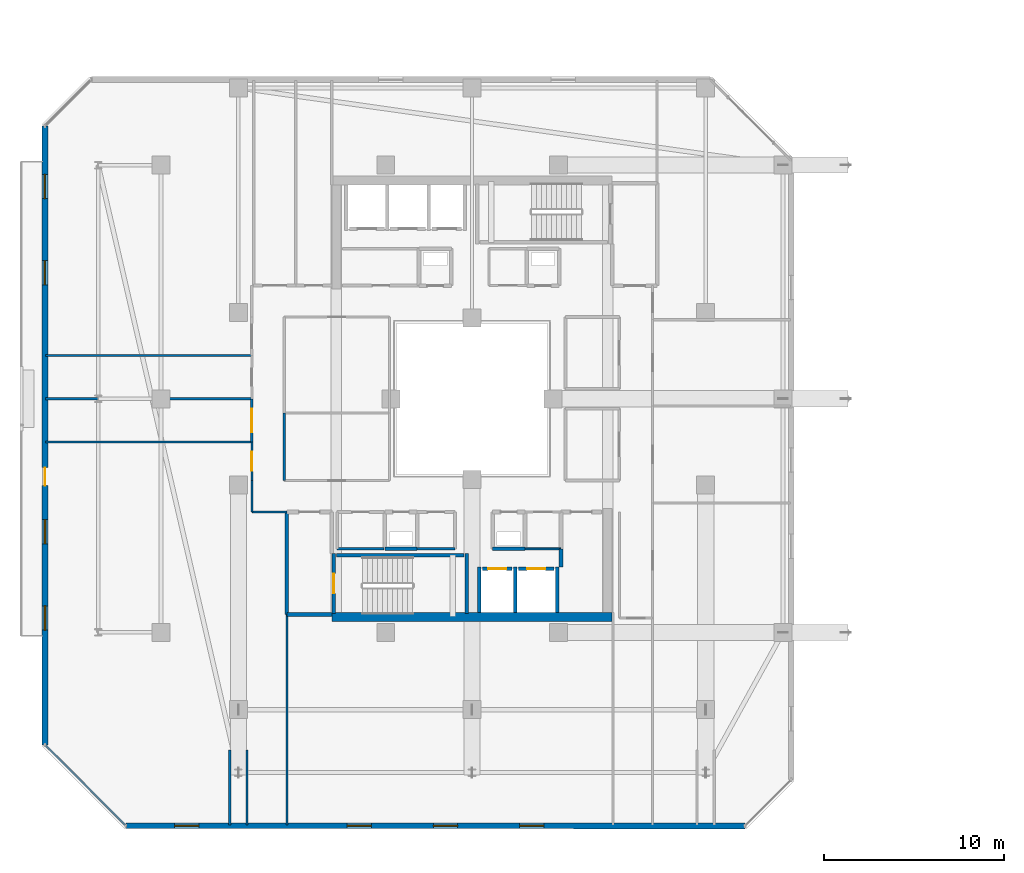
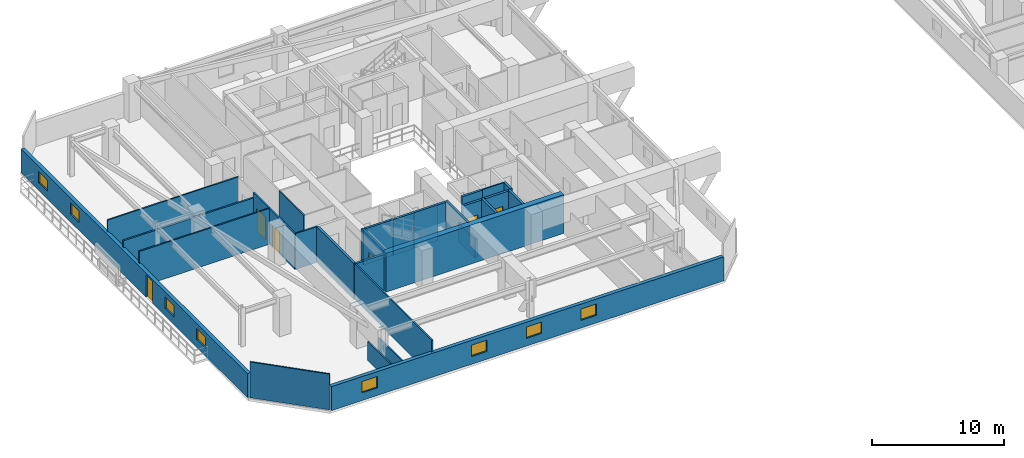
# One storey, part 20 of 34: 31 walls, 8 windows, 6 doors, 14 openings.
"""IFC4 building model written with IfcOpenShell, lengths in metres."""

from ifc_helpers import new_model, si_unit, direction, frame, frame_2d, origin, place, context, subcontext, project, spatial, rectangle, extrude, material, layer, layer_set, type_object, element, fill, save


model = new_model("IFC4")

# Units and contexts
model_context = context("Model", 3, precision=1e-05, world=origin(), true_north=direction((0.0, 1.0)))
body_context = subcontext(model_context, "Body", "Model", "MODEL_VIEW")
ifc_project = project(units=[si_unit("LENGTHUNIT", "METRE"), si_unit("AREAUNIT", "SQUARE_METRE"), si_unit("VOLUMEUNIT", "CUBIC_METRE"), si_unit("PLANEANGLEUNIT", "RADIAN"), si_unit("MASSUNIT", "GRAM", prefix="KILO")], contexts=[model_context])

# Site, building, storey
site_placement = place(None, origin())
site = spatial("IfcSite", under=ifc_project, at=site_placement, CompositionType="ELEMENT")
building_placement = place(site_placement, origin())
building = spatial("IfcBuilding", under=site, at=building_placement, Name="Thornwick Lancets Civic Towers", CompositionType="ELEMENT")
storey_placement = place(building_placement, frame((0.0, 0.0, 251.10009765625)))
storey = spatial("IfcBuildingStorey", under=building, at=storey_placement, Name="L67", CompositionType="ELEMENT", Elevation=251.10009765625)

# Wall, opening, door
ifc_material_1 = material(Name="Concrete blockwork C40/50", Category="masonry")
ifc_layer_1 = layer(ifc_material_1, 0.199951171875, Name="Concrete blockwork C40/50")
ifc_layer_set_1 = layer_set([ifc_layer_1], Name="Concrete blockwork C40/50")
wall_type_1 = type_object("IfcWallType", Name="WALL_COMP_200", PredefinedType="STANDARD", material=ifc_layer_set_1)
wall_1_placement = place(storey_placement, frame((26.080078125, 17.550048828125, 0.0), z_axis=(0.0, 0.0, 1.0), x_axis=(1.0, 0.0, 0.0)))
wall_1 = element("IfcWall", 1, at=wall_1_placement, inside=storey, type_object=wall_type_1, Name="L67 Hoistway Front Wall FL-A1", PredefinedType="STANDARD", context=body_context, shape_type="SweptSolid", body=[
    extrude(rectangle(XDim=1.639892578125, YDim=0.199951171875, at=frame_2d((0.81982421875, 0.0))), origin(), (0.0, 0.0, 1.0), 3.31982421875),
])
opening_1_placement = place(wall_1_placement, frame((0.31005859375, 0.0, 0.0)))
opening_1 = element("IfcOpeningElement", 2, at=opening_1_placement, cuts=wall_1, Name="Opening LD-FL-A1", PredefinedType="OPENING", context=body_context, shape_type="SweptSolid", body=[
    extrude(rectangle(XDim=1.02001953125, YDim=2.06005859375, at=frame_2d((0.510009765625, 1.030029296875))), frame((0.0, 0.10986328125, 0.0), z_axis=(0.0, -1.0, 0.0), x_axis=(1.0, 0.0, 0.0)), (0.0, 0.0, 1.0), 0.219970703125),
])
ifc_material_2 = material(Name="Brushed bronze stainless steel", Category="steel")
door_type_1 = type_object("IfcDoorType", Name="DOOR_LIFT_SLIDE", OperationType="SLIDING_TO_LEFT", PredefinedType="DOOR", material=ifc_material_2)
door_1_placement = place(opening_1_placement, origin())
door_1 = element("IfcDoor", 3, at=door_1_placement, inside=storey, type_object=door_type_1, Name="L67 Sliding Lift Landing Door LD-FL-A1", OperationType="SLIDING_TO_LEFT", OverallHeight=2.06005859375, OverallWidth=1.02001953125, PredefinedType="DOOR", context=body_context, shape_type="SweptSolid", body=[
    extrude(rectangle(XDim=1.02001953125, YDim=2.06005859375, at=frame_2d((0.510009765625, 1.030029296875))), frame((0.0, 0.02490234375, 0.0), z_axis=(0.0, -1.0, 0.0), x_axis=(1.0, 0.0, 0.0)), (0.0, 0.0, 1.0), 0.050048828125),
])
fill(opening_1, door_1)

wall_2_placement = place(storey_placement, frame((28.080078125, 17.550048828125, 0.0), z_axis=(0.0, 0.0, 1.0), x_axis=(1.0, 0.0, 0.0)))
wall_2 = element("IfcWall", 4, at=wall_2_placement, inside=storey, type_object=wall_type_1, Name="L67 Hoistway Front Wall PL-AH1", PredefinedType="STANDARD", context=body_context, shape_type="SweptSolid", body=[
    extrude(rectangle(XDim=1.989990234375, YDim=0.199951171875, at=frame_2d((0.9951171875, 0.0))), origin(), (0.0, 0.0, 1.0), 3.31982421875),
])
opening_2_placement = place(wall_2_placement, frame((0.485107421875, 0.0, 0.0)))
opening_2 = element("IfcOpeningElement", 5, at=opening_2_placement, cuts=wall_2, Name="Opening LD-PL-AH1", PredefinedType="OPENING", context=body_context, shape_type="SweptSolid", body=[
    extrude(rectangle(XDim=1.02001953125, YDim=2.06005859375, at=frame_2d((0.510009765625, 1.030029296875))), frame((0.0, 0.10986328125, 0.0), z_axis=(0.0, -1.0, 0.0), x_axis=(1.0, 0.0, 0.0)), (0.0, 0.0, 1.0), 0.219970703125),
])
door_2_placement = place(opening_2_placement, origin())
door_2 = element("IfcDoor", 6, at=door_2_placement, inside=storey, type_object=door_type_1, Name="L67 Sliding Lift Landing Door LD-PL-AH1", OperationType="SLIDING_TO_LEFT", OverallHeight=2.06005859375, OverallWidth=1.02001953125, PredefinedType="DOOR", context=body_context, shape_type="SweptSolid", body=[
    extrude(rectangle(XDim=1.02001953125, YDim=2.06005859375, at=frame_2d((0.510009765625, 1.030029296875))), frame((0.0, 0.02490234375, 0.0), z_axis=(0.0, -1.0, 0.0), x_axis=(1.0, 0.0, 0.0)), (0.0, 0.0, 1.0), 0.050048828125),
])
fill(opening_2, door_2)

# Walls
wall_3_placement = place(storey_placement, frame((27.89990234375, 15.112060546875, 0.0), z_axis=(0.0, 0.0, 1.0), x_axis=(0.0, 1.0, 0.0)))
element("IfcWall", 7, at=wall_3_placement, inside=storey, type_object=wall_type_1, Name="L67 Hoistway Shaft Wall FL-A1 E", PredefinedType="STANDARD", context=body_context, shape_type="SweptSolid", body=[
    extrude(rectangle(XDim=2.535888671875, YDim=0.199951171875, at=frame_2d((1.26806640625, 0.0))), origin(), (0.0, 0.0, 1.0), 3.31982421875),
])
wall_4_placement = place(storey_placement, frame((25.89990234375, 15.112060546875, 0.0), z_axis=(0.0, 0.0, 1.0), x_axis=(0.0, 1.0, 0.0)))
element("IfcWall", 8, at=wall_4_placement, inside=storey, type_object=wall_type_1, Name="L67 Hoistway Shaft Wall FL-A1 W", PredefinedType="STANDARD", context=body_context, shape_type="SweptSolid", body=[
    extrude(rectangle(XDim=2.535888671875, YDim=0.199951171875, at=frame_2d((1.26806640625, 0.0))), origin(), (0.0, 0.0, 1.0), 1.784912109375),
])
wall_5_placement = place(storey_placement, frame((30.25, 15.112060546875, 0.0), z_axis=(0.0, 0.0, 1.0), x_axis=(0.0, 1.0, 0.0)))
element("IfcWall", 9, at=wall_5_placement, inside=storey, type_object=wall_type_1, Name="L67 Hoistway Shaft Wall PL-AH1 E", PredefinedType="STANDARD", context=body_context, shape_type="SweptSolid", body=[
    extrude(rectangle(XDim=2.535888671875, YDim=0.199951171875, at=frame_2d((1.26806640625, 0.0))), origin(), (0.0, 0.0, 1.0), 3.31982421875),
])
wall_6_placement = place(storey_placement, frame((15.199951171875, 15.0, 0.0), z_axis=(0.0, 0.0, 1.0), x_axis=(1.0, 0.0, 0.0)))
element("IfcWall", 10, at=wall_6_placement, inside=storey, type_object=wall_type_1, Name="L67 Partition L67-A-FFLOB1 E1", PredefinedType="STANDARD", context=body_context, shape_type="SweptSolid", body=[
    extrude(rectangle(XDim=2.5, YDim=0.199951171875, at=frame_2d((1.25, 0.0))), origin(), (0.0, 0.0, 1.0), 3.31982421875),
])
wall_7_placement = place(storey_placement, frame((15.199951171875, 20.699951171875, 0.0), z_axis=(0.0, 0.0, 1.0), x_axis=(0.0, -1.0, 0.0)))
element("IfcWall", 11, at=wall_7_placement, inside=storey, type_object=wall_type_1, Name="L67 Partition L67-A-FFLOB1 E4", PredefinedType="STANDARD", context=body_context, shape_type="SweptSolid", body=[
    extrude(rectangle(XDim=5.699951171875, YDim=0.199951171875, at=frame_2d((2.85009765625, 0.0))), origin(), (0.0, 0.0, 1.0), 3.31982421875),
])
for number, where, z_axis, x_axis, name in (
    (12, (26.64990234375, 18.64990234375, 0.0), (0.0, 0.0, 1.0), (1.0, 0.0, 0.0), "L67 Partition L67-A-DUCT1 E1"),
    (13, (20.64990234375, 18.64990234375, 0.0), (0.0, 0.0, 1.0), (1.0, 0.0, 0.0), "L67 Partition L67-A-RISER1 E1"),
):
    element("IfcWall", number, at=place(storey_placement, frame(where, z_axis=z_axis, x_axis=x_axis)), inside=storey, type_object=wall_type_1, Name=name, PredefinedType="STANDARD", context=body_context, shape_type="SweptSolid", body=[
        extrude(rectangle(XDim=1.800048828125, YDim=0.199951171875, at=frame_2d((0.89990234375, 0.0))), origin(), (0.0, 0.0, 1.0), 3.31982421875),
    ])
wall_8_placement = place(storey_placement, frame((30.449951171875, 17.64794921875, 0.0), z_axis=(0.0, 0.0, 1.0), x_axis=(0.0, 1.0, 0.0)))
element("IfcWall", 14, at=wall_8_placement, inside=storey, type_object=wall_type_1, Name="L67 Partition L67-A-ITR2 E3", PredefinedType="STANDARD", context=body_context, shape_type="SweptSolid", body=[
    extrude(rectangle(XDim=1.001953125, YDim=0.199951171875, at=frame_2d((0.5009765625, 0.0))), origin(), (0.0, 0.0, 1.0), 3.31982421875),
])
ifc_material_3 = material(Name="Concrete C50/60", Category="concrete")
ifc_layer_2 = layer(ifc_material_3, 0.5, Name="Concrete C50/60")
ifc_layer_set_2 = layer_set([ifc_layer_2], Name="Concrete C50/60")
wall_type_2 = type_object("IfcWallType", Name="WALL_CORE_500", PredefinedType="SHEAR", material=ifc_layer_set_2)
wall_9_placement = place(storey_placement, frame((17.699951171875, 14.85009765625, 0.0), z_axis=(0.0, 0.0, 1.0), x_axis=(1.0, 0.0, 0.0)))
element("IfcWall", 15, at=wall_9_placement, inside=storey, type_object=wall_type_2, Name="L67 Split Core A1 Shear Wall S", PredefinedType="SHEAR", context=body_context, shape_type="SweptSolid", body=[
    extrude(rectangle(XDim=15.60009765625, YDim=0.5, at=frame_2d((7.800048828125, 0.0))), origin(), (0.0, 0.0, 1.0), 3.599853515625),
])

# Wall, openings, windows
ifc_material_4 = material(Name="Insulated buff terracotta rainscreen on concrete C40/50", Category="masonry")
ifc_layer_3 = layer(ifc_material_4, 0.320068359375, Name="Insulated buff terracotta rainscreen on concrete C40/50")
ifc_layer_set_3 = layer_set([ifc_layer_3], Name="Insulated buff terracotta rainscreen on concrete C40/50")
wall_type_3 = type_object("IfcWallType", Name="WALL_EXT_TERRA_320", PredefinedType="STANDARD", material=ifc_layer_set_3)
wall_10_placement = place(storey_placement, frame((6.2490234375, 3.24169921875, 0.0), z_axis=(0.0, 0.0, 1.0), x_axis=(0.999999983007, -0.000184351399, 0.0)))
wall_10 = element("IfcWall", 16, at=wall_10_placement, inside=storey, type_object=wall_type_3, Name="L67 Tower A Terracotta Facade Wall E0", PredefinedType="STANDARD", context=body_context, shape_type="SweptSolid", body=[
    extrude(rectangle(XDim=34.432373046875, YDim=0.320068359375, at=frame_2d((17.21630859375, 0.0))), origin(), (0.0, 0.0, 1.0), 2.219970703125),
])
opening_3_placement = place(wall_10_placement, frame((2.699951171875, 0.0, 0.719970703125)))
opening_3 = element("IfcOpeningElement", 17, at=opening_3_placement, cuts=wall_10, Name="Opening WL-03", PredefinedType="OPENING", context=body_context, shape_type="SweptSolid", body=[
    extrude(rectangle(XDim=1.35009765625, YDim=1.050048828125, at=frame_2d((0.675048828125, 0.52490234375))), frame((0.0, 0.169921875, 0.0), z_axis=(0.0, -1.0, 0.0), x_axis=(1.0, 0.0, 0.0)), (0.0, 0.0, 1.0), 0.340087890625),
])
opening_4_placement = place(wall_10_placement, frame((12.300048828125, 0.0, 0.719970703125)))
opening_4 = element("IfcOpeningElement", 18, at=opening_4_placement, cuts=wall_10, Name="Opening WL-03", PredefinedType="OPENING", context=body_context, shape_type="SweptSolid", body=[
    extrude(rectangle(XDim=1.35009765625, YDim=1.050048828125, at=frame_2d((0.675048828125, 0.52490234375))), frame((0.0, 0.169921875, 0.0), z_axis=(0.0, -1.0, 0.0), x_axis=(1.0, 0.0, 0.0)), (0.0, 0.0, 1.0), 0.340087890625),
])
opening_5_placement = place(wall_10_placement, frame((17.10009765625, 0.0, 0.719970703125)))
opening_5 = element("IfcOpeningElement", 19, at=opening_5_placement, cuts=wall_10, Name="Opening WL-03", PredefinedType="OPENING", context=body_context, shape_type="SweptSolid", body=[
    extrude(rectangle(XDim=1.35009765625, YDim=1.050048828125, at=frame_2d((0.675048828125, 0.52490234375))), frame((0.0, 0.169921875, 0.0), z_axis=(0.0, -1.0, 0.0), x_axis=(1.0, 0.0, 0.0)), (0.0, 0.0, 1.0), 0.340087890625),
])
opening_6_placement = place(wall_10_placement, frame((21.89990234375, 0.0, 0.719970703125)))
opening_6 = element("IfcOpeningElement", 20, at=opening_6_placement, cuts=wall_10, Name="Opening WL-03", PredefinedType="OPENING", context=body_context, shape_type="SweptSolid", body=[
    extrude(rectangle(XDim=1.35009765625, YDim=1.050048828125, at=frame_2d((0.675048828125, 0.52490234375))), frame((0.0, 0.169921875, 0.0), z_axis=(0.0, -1.0, 0.0), x_axis=(1.0, 0.0, 0.0)), (0.0, 0.0, 1.0), 0.340087890625),
])
ifc_material_5 = material(Name="Clear low-e double glazing clerestory lancet", Category="glass")
window_type = type_object("IfcWindowType", Name="WIN_LANCET_1350", PartitioningType="SINGLE_PANEL", PredefinedType="WINDOW", material=ifc_material_5)
window_1_placement = place(opening_3_placement, origin())
window_1 = element("IfcWindow", 21, at=window_1_placement, inside=storey, type_object=window_type, Name="L67 Tower A Staggered Lancet Window E0-1", OverallHeight=1.050048828125, OverallWidth=1.35009765625, PartitioningType="SINGLE_PANEL", PredefinedType="WINDOW", context=body_context, shape_type="SweptSolid", body=[
    extrude(rectangle(XDim=1.35009765625, YDim=1.050048828125, at=frame_2d((0.675048828125, 0.52490234375))), frame((0.0, 0.030029296875, 0.0), z_axis=(0.0, -1.0, 0.0), x_axis=(1.0, 0.0, 0.0)), (0.0, 0.0, 1.0), 0.06005859375),
])
fill(opening_3, window_1)
window_2_placement = place(opening_4_placement, origin())
window_2 = element("IfcWindow", 22, at=window_2_placement, inside=storey, type_object=window_type, Name="L67 Tower A Staggered Lancet Window E0-2", OverallHeight=1.050048828125, OverallWidth=1.35009765625, PartitioningType="SINGLE_PANEL", PredefinedType="WINDOW", context=body_context, shape_type="SweptSolid", body=[
    extrude(rectangle(XDim=1.35009765625, YDim=1.050048828125, at=frame_2d((0.675048828125, 0.52490234375))), frame((0.0, 0.030029296875, 0.0), z_axis=(0.0, -1.0, 0.0), x_axis=(1.0, 0.0, 0.0)), (0.0, 0.0, 1.0), 0.06005859375),
])
fill(opening_4, window_2)
window_3_placement = place(opening_5_placement, origin())
window_3 = element("IfcWindow", 23, at=window_3_placement, inside=storey, type_object=window_type, Name="L67 Tower A Staggered Lancet Window E0-3", OverallHeight=1.050048828125, OverallWidth=1.35009765625, PartitioningType="SINGLE_PANEL", PredefinedType="WINDOW", context=body_context, shape_type="SweptSolid", body=[
    extrude(rectangle(XDim=1.35009765625, YDim=1.050048828125, at=frame_2d((0.675048828125, 0.52490234375))), frame((0.0, 0.030029296875, 0.0), z_axis=(0.0, -1.0, 0.0), x_axis=(1.0, 0.0, 0.0)), (0.0, 0.0, 1.0), 0.06005859375),
])
fill(opening_5, window_3)
window_4_placement = place(opening_6_placement, origin())
window_4 = element("IfcWindow", 24, at=window_4_placement, inside=storey, type_object=window_type, Name="L67 Tower A Staggered Lancet Window E0-4", OverallHeight=1.050048828125, OverallWidth=1.35009765625, PartitioningType="SINGLE_PANEL", PredefinedType="WINDOW", context=body_context, shape_type="SweptSolid", body=[
    extrude(rectangle(XDim=1.35009765625, YDim=1.050048828125, at=frame_2d((0.675048828125, 0.52490234375))), frame((0.0, 0.030029296875, 0.0), z_axis=(0.0, -1.0, 0.0), x_axis=(1.0, 0.0, 0.0)), (0.0, 0.0, 1.0), 0.06005859375),
])
fill(opening_6, window_4)

# Wall, openings, door, windows
wall_11_placement = place(storey_placement, frame((1.7353515625, 42.181396484375, 0.0), z_axis=(0.0, 0.0, 1.0), x_axis=(0.000184351399, -0.999999983007, 0.0)))
wall_11 = element("IfcWall", 25, at=wall_11_placement, inside=storey, type_object=wall_type_3, Name="L67 Tower A Terracotta Facade Wall E6", PredefinedType="STANDARD", context=body_context, shape_type="SweptSolid", body=[
    extrude(rectangle(XDim=34.432373046875, YDim=0.320068359375, at=frame_2d((17.21630859375, 0.0))), origin(), (0.0, 0.0, 1.0), 2.219970703125),
])
opening_7_placement = place(wall_11_placement, frame((19.01611328125, 0.0, 0.0)))
opening_7 = element("IfcOpeningElement", 26, at=opening_7_placement, cuts=wall_11, Name="Opening D-BL-L67-AW", PredefinedType="OPENING", context=body_context, shape_type="SweptSolid", body=[
    extrude(rectangle(XDim=1.0, YDim=2.080078125, at=frame_2d((0.5, 1.0400390625))), frame((0.0, 0.169921875, 0.0), z_axis=(0.0, -1.0, 0.0), x_axis=(1.0, 0.0, 0.0)), (0.0, 0.0, 1.0), 0.340087890625),
])
opening_8_placement = place(wall_11_placement, frame((2.699951171875, 0.0, 0.719970703125)))
opening_8 = element("IfcOpeningElement", 27, at=opening_8_placement, cuts=wall_11, Name="Opening WL-03", PredefinedType="OPENING", context=body_context, shape_type="SweptSolid", body=[
    extrude(rectangle(XDim=1.35009765625, YDim=1.050048828125, at=frame_2d((0.675048828125, 0.52490234375))), frame((0.0, 0.169921875, 0.0), z_axis=(0.0, -1.0, 0.0), x_axis=(1.0, 0.0, 0.0)), (0.0, 0.0, 1.0), 0.340087890625),
])
opening_9_placement = place(wall_11_placement, frame((7.5, 0.0, 0.719970703125)))
opening_9 = element("IfcOpeningElement", 28, at=opening_9_placement, cuts=wall_11, Name="Opening WL-03", PredefinedType="OPENING", context=body_context, shape_type="SweptSolid", body=[
    extrude(rectangle(XDim=1.35009765625, YDim=1.050048828125, at=frame_2d((0.675048828125, 0.52490234375))), frame((0.0, 0.169921875, 0.0), z_axis=(0.0, -1.0, 0.0), x_axis=(1.0, 0.0, 0.0)), (0.0, 0.0, 1.0), 0.340087890625),
])
opening_10_placement = place(wall_11_placement, frame((21.89990234375, 0.0, 0.719970703125)))
opening_10 = element("IfcOpeningElement", 29, at=opening_10_placement, cuts=wall_11, Name="Opening WL-03", PredefinedType="OPENING", context=body_context, shape_type="SweptSolid", body=[
    extrude(rectangle(XDim=1.35009765625, YDim=1.050048828125, at=frame_2d((0.675048828125, 0.52490234375))), frame((0.0, 0.169921875, 0.0), z_axis=(0.0, -1.0, 0.0), x_axis=(1.0, 0.0, 0.0)), (0.0, 0.0, 1.0), 0.340087890625),
])
opening_11_placement = place(wall_11_placement, frame((26.699951171875, 0.0, 0.719970703125)))
opening_11 = element("IfcOpeningElement", 30, at=opening_11_placement, cuts=wall_11, Name="Opening WL-03", PredefinedType="OPENING", context=body_context, shape_type="SweptSolid", body=[
    extrude(rectangle(XDim=1.35009765625, YDim=1.050048828125, at=frame_2d((0.675048828125, 0.52490234375))), frame((0.0, 0.169921875, 0.0), z_axis=(0.0, -1.0, 0.0), x_axis=(1.0, 0.0, 0.0)), (0.0, 0.0, 1.0), 0.340087890625),
])
ifc_material_6 = material(Name="Thermally broken glazed loggia doorset")
door_type_2 = type_object("IfcDoorType", Name="DOOR_BALC_1000", OperationType="NOTDEFINED", PredefinedType="DOOR", material=ifc_material_6)
door_3_placement = place(opening_7_placement, origin())
door_3 = element("IfcDoor", 31, at=door_3_placement, inside=storey, type_object=door_type_2, Name="L67 Tower A Loggia Balcony Door W", OperationType="SINGLE_SWING_RIGHT", OverallHeight=2.080078125, OverallWidth=1.0, PredefinedType="DOOR", context=body_context, shape_type="SweptSolid", body=[
    extrude(rectangle(XDim=1.0, YDim=2.080078125, at=frame_2d((0.5, 1.0400390625))), frame((0.0, 0.02490234375, 0.0), z_axis=(0.0, -1.0, 0.0), x_axis=(1.0, 0.0, 0.0)), (0.0, 0.0, 1.0), 0.050048828125),
])
fill(opening_7, door_3)
window_5_placement = place(opening_8_placement, origin())
window_5 = element("IfcWindow", 32, at=window_5_placement, inside=storey, type_object=window_type, Name="L67 Tower A Staggered Lancet Window E6-1", OverallHeight=1.050048828125, OverallWidth=1.35009765625, PartitioningType="SINGLE_PANEL", PredefinedType="WINDOW", context=body_context, shape_type="SweptSolid", body=[
    extrude(rectangle(XDim=1.35009765625, YDim=1.050048828125, at=frame_2d((0.675048828125, 0.52490234375))), frame((0.0, 0.030029296875, 0.0), z_axis=(0.0, -1.0, 0.0), x_axis=(1.0, 0.0, 0.0)), (0.0, 0.0, 1.0), 0.06005859375),
])
fill(opening_8, window_5)
window_6_placement = place(opening_9_placement, origin())
window_6 = element("IfcWindow", 33, at=window_6_placement, inside=storey, type_object=window_type, Name="L67 Tower A Staggered Lancet Window E6-2", OverallHeight=1.050048828125, OverallWidth=1.35009765625, PartitioningType="SINGLE_PANEL", PredefinedType="WINDOW", context=body_context, shape_type="SweptSolid", body=[
    extrude(rectangle(XDim=1.35009765625, YDim=1.050048828125, at=frame_2d((0.675048828125, 0.52490234375))), frame((0.0, 0.030029296875, 0.0), z_axis=(0.0, -1.0, 0.0), x_axis=(1.0, 0.0, 0.0)), (0.0, 0.0, 1.0), 0.06005859375),
])
fill(opening_9, window_6)
window_7_placement = place(opening_10_placement, origin())
window_7 = element("IfcWindow", 34, at=window_7_placement, inside=storey, type_object=window_type, Name="L67 Tower A Staggered Lancet Window E6-3", OverallHeight=1.050048828125, OverallWidth=1.35009765625, PartitioningType="SINGLE_PANEL", PredefinedType="WINDOW", context=body_context, shape_type="SweptSolid", body=[
    extrude(rectangle(XDim=1.35009765625, YDim=1.050048828125, at=frame_2d((0.675048828125, 0.52490234375))), frame((0.0, 0.030029296875, 0.0), z_axis=(0.0, -1.0, 0.0), x_axis=(1.0, 0.0, 0.0)), (0.0, 0.0, 1.0), 0.06005859375),
])
fill(opening_10, window_7)
window_8_placement = place(opening_11_placement, origin())
window_8 = element("IfcWindow", 35, at=window_8_placement, inside=storey, type_object=window_type, Name="L67 Tower A Staggered Lancet Window E6-4", OverallHeight=1.050048828125, OverallWidth=1.35009765625, PartitioningType="SINGLE_PANEL", PredefinedType="WINDOW", context=body_context, shape_type="SweptSolid", body=[
    extrude(rectangle(XDim=1.35009765625, YDim=1.050048828125, at=frame_2d((0.675048828125, 0.52490234375))), frame((0.0, 0.030029296875, 0.0), z_axis=(0.0, -1.0, 0.0), x_axis=(1.0, 0.0, 0.0)), (0.0, 0.0, 1.0), 0.06005859375),
])
fill(opening_11, window_8)

# Walls
ifc_material_7 = material(Name="Lightweight cellular office partition")
ifc_layer_4 = layer(ifc_material_7, 0.10009765625, Name="Lightweight cellular office partition")
ifc_layer_set_4 = layer_set([ifc_layer_4], Name="Lightweight cellular office partition")
wall_type_4 = type_object("IfcWallType", Name="WALL_PART_100", PredefinedType="PARTITIONING", material=ifc_layer_set_4)
wall_12_placement = place(storey_placement, frame((30.449951171875, 18.64990234375, 0.0), z_axis=(0.0, 0.0, 1.0), x_axis=(-1.0, 0.0, 0.0)))
element("IfcWall", 36, at=wall_12_placement, inside=storey, type_object=wall_type_4, Name="L67 Partition L67-A-CLN E2", PredefinedType="PARTITIONING", context=body_context, shape_type="SweptSolid", body=[
    extrude(rectangle(XDim=2.0, YDim=0.10009765625, at=frame_2d((1.0, 0.0))), origin(), (0.0, 0.0, 1.0), 3.31982421875),
])
ifc_material_8 = material(Name="Acoustic gypsum board partition")
ifc_layer_5 = layer(ifc_material_8, 0.1201171875, Name="Acoustic gypsum board partition")
ifc_layer_set_5 = layer_set([ifc_layer_5], Name="Acoustic gypsum board partition")
wall_type_5 = type_object("IfcWallType", Name="WALL_PART_120", PredefinedType="PARTITIONING", material=ifc_layer_set_5)
wall_13_placement = place(storey_placement, frame((13.25, 22.449951171875, 0.0), z_axis=(0.0, 0.0, 1.0), x_axis=(0.0, -1.0, 0.0)))
element("IfcWall", 37, at=wall_13_placement, inside=storey, type_object=wall_type_5, Name="L67 Partition L67-A-W1 E1", PredefinedType="PARTITIONING", context=body_context, shape_type="SweptSolid", body=[
    extrude(rectangle(XDim=1.75, YDim=0.1201171875, at=frame_2d((0.875, 0.0))), origin(), (0.0, 0.0, 1.0), 3.31982421875),
])
wall_14_placement = place(storey_placement, frame((13.25, 20.699951171875, 0.0), z_axis=(0.0, 0.0, 1.0), x_axis=(1.0, 0.0, 0.0)))
element("IfcWall", 38, at=wall_14_placement, inside=storey, type_object=wall_type_5, Name="L67 Partition L67-A-W1 E2", PredefinedType="PARTITIONING", context=body_context, shape_type="SweptSolid", body=[
    extrude(rectangle(XDim=1.949951171875, YDim=0.1201171875, at=frame_2d((0.97509765625, 0.0))), origin(), (0.0, 0.0, 1.0), 3.31982421875),
])
wall_15_placement = place(storey_placement, frame((15.199951171875, 15.0, 0.0), z_axis=(0.0, 0.0, 1.0), x_axis=(0.0, -1.0, 0.0)))
element("IfcWall", 39, at=wall_15_placement, inside=storey, type_object=wall_type_5, Name="L67 Partition L67-A-W1 E4", PredefinedType="PARTITIONING", context=body_context, shape_type="SweptSolid", body=[
    extrude(rectangle(XDim=11.719970703125, YDim=0.1201171875, at=frame_2d((5.85986328125, 0.0))), origin(), (0.0, 0.0, 1.0), 3.31982421875),
])
for number, where, z_axis, x_axis, name in (
    (40, (12.97998046875, 3.280029296875, 0.0), (0.0, 0.0, 1.0), (0.0, 1.0, 0.0), "L67 Partition L67-A-W1 E6"),
    (41, (12.02001953125, 7.4580078125, 0.0), (0.0, 0.0, 1.0), (0.0, -1.0, 0.0), "L67 Partition L67-A-W1 E8"),
):
    element("IfcWall", number, at=place(storey_placement, frame(where, z_axis=z_axis, x_axis=x_axis)), inside=storey, type_object=wall_type_5, Name=name, PredefinedType="PARTITIONING", context=body_context, shape_type="SweptSolid", body=[
        extrude(rectangle(XDim=4.177978515625, YDim=0.1201171875, at=frame_2d((2.0888671875, 0.0))), origin(), (0.0, 0.0, 1.0), 1.784912109375),
    ])
wall_16_placement = place(storey_placement, frame((6.212646484375, 3.280029296875, 0.0), z_axis=(0.0, 0.0, 1.0), x_axis=(-0.707106781187, 0.707106781187, 0.0)))
element("IfcWall", 42, at=wall_16_placement, inside=storey, type_object=wall_type_5, Name="L67 Partition L67-A-W1 E10", PredefinedType="PARTITIONING", context=body_context, shape_type="SweptSolid", body=[
    extrude(rectangle(XDim=6.2685546875, YDim=0.1201171875, at=frame_2d((3.13427734375, 0.0))), origin(), (0.0, 0.0, 1.0), 3.31982421875),
])
wall_17_placement = place(storey_placement, frame((1.780029296875, 24.60009765625, 0.0), z_axis=(0.0, 0.0, 1.0), x_axis=(1.0, 0.0, 0.0)))
element("IfcWall", 43, at=wall_17_placement, inside=storey, type_object=wall_type_5, Name="L67 Partition L67-A-W1 E12", PredefinedType="PARTITIONING", context=body_context, shape_type="SweptSolid", body=[
    extrude(rectangle(XDim=11.469970703125, YDim=0.1201171875, at=frame_2d((5.73486328125, 0.0))), origin(), (0.0, 0.0, 1.0), 3.31982421875),
])

# Wall, opening, door
wall_18_placement = place(storey_placement, frame((13.25, 24.60009765625, 0.0), z_axis=(0.0, 0.0, 1.0), x_axis=(0.0, -1.0, 0.0)))
wall_18 = element("IfcWall", 44, at=wall_18_placement, inside=storey, type_object=wall_type_5, Name="L67 Partition L67-A-W1 E13", PredefinedType="PARTITIONING", context=body_context, shape_type="SweptSolid", body=[
    extrude(rectangle(XDim=2.150146484375, YDim=0.1201171875, at=frame_2d((1.0751953125, 0.0))), origin(), (0.0, 0.0, 1.0), 3.31982421875),
])
opening_12_placement = place(wall_18_placement, frame((0.550048828125, 0.0, 0.0)))
opening_12 = element("IfcOpeningElement", 45, at=opening_12_placement, cuts=wall_18, Name="Opening D-L67-3060", PredefinedType="OPENING", context=body_context, shape_type="SweptSolid", body=[
    extrude(rectangle(XDim=1.050048828125, YDim=2.10009765625, at=frame_2d((0.52490234375, 1.050048828125))), frame((0.0, 0.070068359375, 0.0), z_axis=(0.0, -1.0, 0.0), x_axis=(1.0, 0.0, 0.0)), (0.0, 0.0, 1.0), 0.14013671875),
])
ifc_material_9 = material(Name="Glazed European oak executive doorset")
door_type_3 = type_object("IfcDoorType", Name="DOOR_OFFICE_1050", OperationType="NOTDEFINED", PredefinedType="DOOR", material=ifc_material_9)
door_4_placement = place(opening_12_placement, origin())
door_4 = element("IfcDoor", 46, at=door_4_placement, inside=storey, type_object=door_type_3, Name="L67 Tower A Ministry Directorate Office W1 Door", OperationType="SINGLE_SWING_LEFT", OverallHeight=2.10009765625, OverallWidth=1.050048828125, PredefinedType="DOOR", context=body_context, shape_type="SweptSolid", body=[
    extrude(rectangle(XDim=1.050048828125, YDim=2.10009765625, at=frame_2d((0.52490234375, 1.050048828125))), frame((0.0, 0.02490234375, 0.0), z_axis=(0.0, -1.0, 0.0), x_axis=(1.0, 0.0, 0.0)), (0.0, 0.0, 1.0), 0.050048828125),
])
fill(opening_12, door_4)

# Walls
wall_19_placement = place(storey_placement, frame((1.780029296875, 29.39990234375, 0.0), z_axis=(0.0, 0.0, 1.0), x_axis=(1.0, 0.0, 0.0)))
element("IfcWall", 47, at=wall_19_placement, inside=storey, type_object=wall_type_5, Name="L67 Partition L67-A-W2B E3", PredefinedType="PARTITIONING", context=body_context, shape_type="SweptSolid", body=[
    extrude(rectangle(XDim=11.469970703125, YDim=0.1201171875, at=frame_2d((5.73486328125, 0.0))), origin(), (0.0, 0.0, 1.0), 3.31982421875),
])
wall_20_placement = place(storey_placement, frame((15.050048828125, 22.449951171875, 0.0), z_axis=(0.0, 0.0, 1.0), x_axis=(0.0, 1.0, 0.0)))
element("IfcWall", 48, at=wall_20_placement, inside=storey, type_object=wall_type_5, Name="L67 Partition L67-A-W3 E1", PredefinedType="PARTITIONING", context=body_context, shape_type="SweptSolid", body=[
    extrude(rectangle(XDim=3.75, YDim=0.1201171875, at=frame_2d((1.875, 0.0))), origin(), (0.0, 0.0, 1.0), 3.31982421875),
])
ifc_material_10 = material(Name="Twin-stud acoustic gypsum board")
ifc_layer_6 = layer(ifc_material_10, 0.14990234375, Name="Twin-stud acoustic gypsum board")
ifc_layer_set_6 = layer_set([ifc_layer_6], Name="Twin-stud acoustic gypsum board")
wall_type_6 = type_object("IfcWallType", Name="WALL_PART_150", PredefinedType="PARTITIONING", material=ifc_layer_set_6)
wall_21_placement = place(storey_placement, frame((18.0, 18.64990234375, 0.0), z_axis=(0.0, 0.0, 1.0), x_axis=(1.0, 0.0, 0.0)))
element("IfcWall", 49, at=wall_21_placement, inside=storey, type_object=wall_type_6, Name="L67 Partition L67-A-MWC E1", PredefinedType="PARTITIONING", context=body_context, shape_type="SweptSolid", body=[
    extrude(rectangle(XDim=2.60009765625, YDim=0.14990234375, at=frame_2d((1.300048828125, 0.0))), origin(), (0.0, 0.0, 1.0), 3.31982421875),
])
wall_22_placement = place(storey_placement, frame((24.550048828125, 18.64990234375, 0.0), z_axis=(0.0, 0.0, 1.0), x_axis=(-1.0, 0.0, 0.0)))
element("IfcWall", 50, at=wall_22_placement, inside=storey, type_object=wall_type_6, Name="L67 Partition L67-A-AWC E2", PredefinedType="PARTITIONING", context=body_context, shape_type="SweptSolid", body=[
    extrude(rectangle(XDim=2.10009765625, YDim=0.14990234375, at=frame_2d((1.050048828125, 0.0))), origin(), (0.0, 0.0, 1.0), 3.31982421875),
])
wall_23_placement = place(storey_placement, frame((1.780029296875, 27.0, 0.0), z_axis=(0.0, 0.0, 1.0), x_axis=(1.0, 0.0, 0.0)))
element("IfcWall", 51, at=wall_23_placement, inside=storey, type_object=wall_type_6, Name="L67 Partition L67-A-W2 E3", PredefinedType="PARTITIONING", context=body_context, shape_type="SweptSolid", body=[
    extrude(rectangle(XDim=11.469970703125, YDim=0.14990234375, at=frame_2d((5.73486328125, 0.0))), origin(), (0.0, 0.0, 1.0), 2.861572265625),
])

# Wall, opening, door
wall_24_placement = place(storey_placement, frame((13.25, 27.0, 0.0), z_axis=(0.0, 0.0, 1.0), x_axis=(0.0, -1.0, 0.0)))
wall_24 = element("IfcWall", 52, at=wall_24_placement, inside=storey, type_object=wall_type_6, Name="L67 Partition L67-A-W2 E4", PredefinedType="PARTITIONING", context=body_context, shape_type="SweptSolid", body=[
    extrude(rectangle(XDim=2.39990234375, YDim=0.14990234375, at=frame_2d((1.199951171875, 0.0))), origin(), (0.0, 0.0, 1.0), 3.31982421875),
])
opening_13_placement = place(wall_24_placement, frame((0.550048828125, 0.0, 0.0)))
opening_13 = element("IfcOpeningElement", 53, at=opening_13_placement, cuts=wall_24, Name="Opening D-L67-3061", PredefinedType="OPENING", context=body_context, shape_type="SweptSolid", body=[
    extrude(rectangle(XDim=1.300048828125, YDim=2.1201171875, at=frame_2d((0.64990234375, 1.06005859375))), frame((0.0, 0.0849609375, 0.0), z_axis=(0.0, -1.0, 0.0), x_axis=(1.0, 0.0, 0.0)), (0.0, 0.0, 1.0), 0.169921875),
])
ifc_material_11 = material(Name="Acoustic oak leaf-and-a-half doorset")
door_type_4 = type_object("IfcDoorType", Name="DOOR_MEET_1300", OperationType="DOUBLE_DOOR_SINGLE_SWING", PredefinedType="DOOR", material=ifc_material_11)
door_5_placement = place(opening_13_placement, origin())
door_5 = element("IfcDoor", 54, at=door_5_placement, inside=storey, type_object=door_type_4, Name="L67 Tower A Policy Briefing Room W2 Door", OperationType="DOUBLE_DOOR_SINGLE_SWING", OverallHeight=2.1201171875, OverallWidth=1.300048828125, PredefinedType="DOOR", context=body_context, shape_type="SweptSolid", body=[
    extrude(rectangle(XDim=1.300048828125, YDim=2.1201171875, at=frame_2d((0.64990234375, 1.06005859375))), frame((0.0, 0.02490234375, 0.0), z_axis=(0.0, -1.0, 0.0), x_axis=(1.0, 0.0, 0.0)), (0.0, 0.0, 1.0), 0.050048828125),
])
fill(opening_13, door_5)

ifc_material_12 = material(Name="Concrete C40/50", Category="concrete")
ifc_layer_7 = layer(ifc_material_12, 0.199951171875, Name="Concrete C40/50")
ifc_layer_set_7 = layer_set([ifc_layer_7], Name="Concrete C40/50")
wall_type_7 = type_object("IfcWallType", Name="WALL_SHAFT_200", PredefinedType="SHEAR", material=ifc_layer_set_7)
wall_25_placement = place(storey_placement, frame((17.800048828125, 15.050048828125, 0.0), z_axis=(0.0, 0.0, 1.0), x_axis=(0.0, 1.0, 0.0)))
wall_25 = element("IfcWall", 55, at=wall_25_placement, inside=storey, type_object=wall_type_7, Name="L67 ST-A1 Fire Stair Core Wall NEAR", PredefinedType="SHEAR", context=body_context, shape_type="SweptSolid", body=[
    extrude(rectangle(XDim=3.349853515625, YDim=0.199951171875, at=frame_2d((1.6748046875, 0.0))), origin(), (0.0, 0.0, 1.0), 3.599853515625),
])
opening_14_placement = place(wall_25_placement, frame((1.125, 0.0, 0.0)))
opening_14 = element("IfcOpeningElement", 56, at=opening_14_placement, cuts=wall_25, Name="Opening D-ST-A1-L67", PredefinedType="OPENING", context=body_context, shape_type="SweptSolid", body=[
    extrude(rectangle(XDim=1.10009765625, YDim=2.10009765625, at=frame_2d((0.550048828125, 1.050048828125))), frame((0.0, 0.10986328125, 0.0), z_axis=(0.0, -1.0, 0.0), x_axis=(1.0, 0.0, 0.0)), (0.0, 0.0, 1.0), 0.219970703125),
])
ifc_material_13 = material(Name="Fire-resisting steel and hardwood", Category="steel")
door_type_5 = type_object("IfcDoorType", Name="DOOR_STAIR_FD60", OperationType="NOTDEFINED", PredefinedType="DOOR", material=ifc_material_13)
door_6_placement = place(opening_14_placement, origin())
door_6 = element("IfcDoor", 57, at=door_6_placement, inside=storey, type_object=door_type_5, Name="L67 ST-A1 Exit Stair Door", OperationType="SINGLE_SWING_RIGHT", OverallHeight=2.10009765625, OverallWidth=1.10009765625, PredefinedType="DOOR", context=body_context, shape_type="SweptSolid", body=[
    extrude(rectangle(XDim=1.10009765625, YDim=2.10009765625, at=frame_2d((0.550048828125, 1.050048828125))), frame((0.0, 0.02490234375, 0.0), z_axis=(0.0, -1.0, 0.0), x_axis=(1.0, 0.0, 0.0)), (0.0, 0.0, 1.0), 0.050048828125),
])
fill(opening_14, door_6)

# Walls
wall_26_placement = place(storey_placement, frame((25.199951171875, 18.39990234375, 0.0), z_axis=(0.0, 0.0, 1.0), x_axis=(0.0, -1.0, 0.0)))
element("IfcWall", 58, at=wall_26_placement, inside=storey, type_object=wall_type_7, Name="L67 ST-A1 Fire Stair Core Wall FAR", PredefinedType="SHEAR", context=body_context, shape_type="SweptSolid", body=[
    extrude(rectangle(XDim=3.349853515625, YDim=0.199951171875, at=frame_2d((1.6748046875, 0.0))), origin(), (0.0, 0.0, 1.0), 3.599853515625),
])
wall_27_placement = place(storey_placement, frame((25.050048828125, 18.297119140625, 0.0), z_axis=(0.0, 0.0, 1.0), x_axis=(-1.0, 0.0, 0.0)))
element("IfcWall", 59, at=wall_27_placement, inside=storey, type_object=wall_type_7, Name="L67 ST-A1 Fire Stair Core Wall RIGHT", PredefinedType="SHEAR", context=body_context, shape_type="SweptSolid", body=[
    extrude(rectangle(XDim=7.10009765625, YDim=0.199951171875, at=frame_2d((3.550048828125, 0.0))), origin(), (0.0, 0.0, 1.0), 3.599853515625),
])

save(model, "model.ifc")
